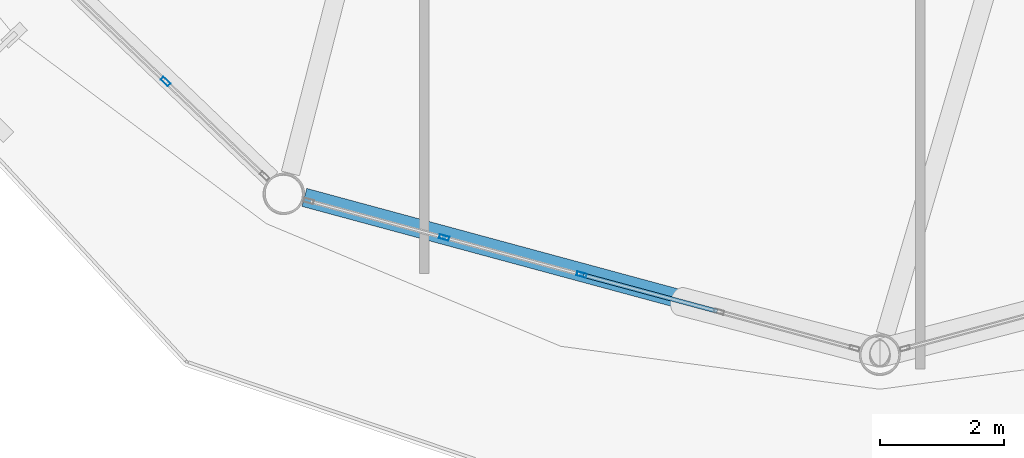
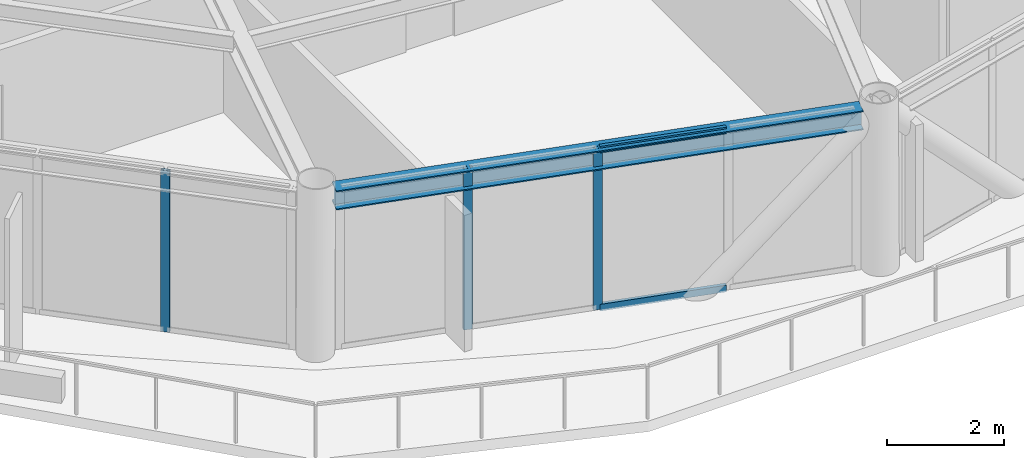
# One storey, part 3 of 28: 5 members, 1 beam, 2 elements without a shape of their own.
"""IFC4 building model written with IfcOpenShell, lengths in metres."""

import ifcopenshell
import ifcopenshell.guid

model = None  # the IFC model being written
_history = None  # IfcOwnerHistory: only IFC2X3 demands one
_inside = {}  # id of a spatial element -> (the spatial element, [elements in it])
_under = {}  # id of a project, library or spatial element -> (it, [spatial elements below it])
_declared = {}  # id of a project -> (the project, [libraries it declares])
_typed = {}  # id of a type object -> (the type object, [elements of that type])
_made_of = {}  # id of a material, layer set ... -> (it, [elements and type objects made of it])


def new_model(schema):
    """Start an empty IFC model of exactly this schema.

    Asked for "IFC4X3", IfcOpenShell would pick the latest addendum, in which some entities
    have other attributes; the version numbers below select the first issue.
    IFC2X3 requires an IfcOwnerHistory on every rooted entity: one is made here for all.
    """
    global model, _history
    if schema == "IFC4X3":
        model = ifcopenshell.file(schema_version=(4, 3, 0, 0))
    else:
        model = ifcopenshell.file(schema=schema)
    _inside.clear()
    _under.clear()
    _declared.clear()
    _typed.clear()
    _made_of.clear()
    _history = None
    if model.schema == "IFC2X3":
        org = make("IfcOrganization", Name="unknown")
        user = make(
            "IfcPersonAndOrganization",
            ThePerson=make("IfcPerson", FamilyName="unknown"),
            TheOrganization=org,
        )
        app = make(
            "IfcApplication",
            ApplicationDeveloper=org,
            Version="unknown",
            ApplicationFullName="unknown",
            ApplicationIdentifier="unknown",
        )
        _history = make(
            "IfcOwnerHistory",
            OwningUser=user,
            OwningApplication=app,
            ChangeAction="ADDED",
            CreationDate=0,
        )
    return model


def make(cls, **values):
    """One entity of the class cls with the attributes given. An attribute that is None is left unset."""
    return model.create_entity(
        cls, **{name: value for name, value in values.items() if value is not None}
    )


def rooted(cls, **values):
    """An entity with a GlobalId (a new one), such as an element, a storey or a relation."""
    return make(cls, GlobalId=ifcopenshell.guid.new(), OwnerHistory=_history, **values)


def si_unit(unit_type, name, prefix=None):
    """IfcSIUnit, for example si_unit("LENGTHUNIT", "METRE", prefix="MILLI")."""
    return make("IfcSIUnit", UnitType=unit_type, Prefix=prefix, Name=name)


def assignment(units):
    """IfcUnitAssignment: the units of a project."""
    return None if units is None else make("IfcUnitAssignment", Units=units)


def point(xyz):
    """IfcCartesianPoint."""
    return None if xyz is None else make("IfcCartesianPoint", Coordinates=xyz)


def direction(xyz):
    """IfcDirection."""
    return None if xyz is None else make("IfcDirection", DirectionRatios=xyz)


def frame(location, z_axis=None, x_axis=None):
    """IfcAxis2Placement3D, a coordinate frame: its origin and axes. An axis left out is left unset."""
    return make(
        "IfcAxis2Placement3D",
        Location=point(location),
        Axis=direction(z_axis),
        RefDirection=direction(x_axis),
    )


def frame_2d(location, x_axis=None):
    """IfcAxis2Placement2D, a coordinate frame in the plane: its origin and x axis."""
    return make(
        "IfcAxis2Placement2D", Location=point(location), RefDirection=direction(x_axis)
    )


def origin():
    """The frame at (0, 0, 0) with its axes left unset."""
    return frame((0.0, 0.0, 0.0))


def origin_2d():
    """The frame at (0, 0) in the plane with its x axis left unset."""
    return frame_2d((0.0, 0.0))


def place(relative_to, where):
    """IfcLocalPlacement: puts the frame where relative to a parent placement (None: the world)."""
    return make(
        "IfcLocalPlacement", PlacementRelTo=relative_to, RelativePlacement=where
    )


def context(
    kind, dimensions, precision=None, world=None, true_north=None, identifier=None
):
    """IfcGeometricRepresentationContext, for example the 3D "Model" context."""
    return make(
        "IfcGeometricRepresentationContext",
        ContextIdentifier=identifier,
        ContextType=kind,
        CoordinateSpaceDimension=dimensions,
        Precision=precision,
        WorldCoordinateSystem=world,
        TrueNorth=true_north,
    )


def subcontext(parent, identifier, kind, view, scale=None):
    """IfcGeometricRepresentationSubContext, for example "Body" below "Model"."""
    return make(
        "IfcGeometricRepresentationSubContext",
        ContextIdentifier=identifier,
        ContextType=kind,
        ParentContext=parent,
        TargetScale=scale,
        TargetView=view,
    )


def project(units=None, contexts=None):
    """IfcProject with its units and contexts."""
    return rooted(
        "IfcProject",
        Name="project",
        RepresentationContexts=contexts,
        UnitsInContext=assignment(units),
    )


def spatial(cls, under=None, at=None, **own):
    """A site, building, storey or space (cls), placed at a placement, below another one or the project."""
    s = rooted(cls, ObjectPlacement=at, **own)
    if under is not None:
        _under.setdefault(under.id(), (under, []))[1].append(s)
    return s


def profile(cls, at=None, kind="AREA", **sizes):
    """A parametric profile (cls). Its sizes go by their IFC names, for example OverallWidth=200.0."""
    return make(cls, ProfileType=kind, Position=at, **sizes)


def hollow_rectangle(**sizes):
    """IfcRectangleHollowProfileDef."""
    return profile("IfcRectangleHollowProfileDef", **sizes)


def i_section(**sizes):
    """IfcIShapeProfileDef."""
    return profile("IfcIShapeProfileDef", **sizes)


def extrude(swept, where, along, depth):
    """IfcExtrudedAreaSolid: the profile swept, set in the frame where, extruded along a direction by depth."""
    return make(
        "IfcExtrudedAreaSolid",
        SweptArea=swept,
        Position=where,
        ExtrudedDirection=direction(along),
        Depth=depth,
    )


def shape(context_of_items, identifier, shape_type, items):
    """IfcShapeRepresentation: the items that make up one representation, for example the "Body"."""
    return make(
        "IfcShapeRepresentation",
        ContextOfItems=context_of_items,
        RepresentationIdentifier=identifier,
        RepresentationType=shape_type,
        Items=items,
    )


def material(Name=None, Category=None):
    """IfcMaterial."""
    return make("IfcMaterial", Name=Name, Category=Category)


def layer(
    of_material, thickness, ventilated=None, Name=None, Category=None, Priority=None
):
    """IfcMaterialLayer: one layer of a wall or slab, of a material (None: an air gap)."""
    return make(
        "IfcMaterialLayer",
        Material=of_material,
        LayerThickness=thickness,
        IsVentilated=ventilated,
        Name=Name,
        Category=Category,
        Priority=Priority,
    )


def layer_set(layers, Name=None):
    """IfcMaterialLayerSet."""
    return make("IfcMaterialLayerSet", MaterialLayers=layers, LayerSetName=Name)


def material_profile(
    of_material, cross_section, Name=None, Category=None, Priority=None
):
    """IfcMaterialProfile: a cross section and its material."""
    return make(
        "IfcMaterialProfile",
        Name=Name,
        Material=of_material,
        Profile=cross_section,
        Priority=Priority,
        Category=Category,
    )


def profile_set(profiles, Name=None, composite=None):
    """IfcMaterialProfileSet."""
    return make(
        "IfcMaterialProfileSet",
        Name=Name,
        MaterialProfiles=profiles,
        CompositeProfile=composite,
    )


def made_of(thing, what):
    """Note that an element or type object is made of a material, layer set ...; save() writes the relation."""
    if what is not None:
        _made_of.setdefault(what.id(), (what, []))[1].append(thing)
    return thing


def type_object(cls, material=None, **own):
    """A type object (cls), such as IfcWallType, which elements share."""
    return made_of(rooted(cls, **own), material)


def element(
    cls,
    number,
    at=None,
    inside=None,
    cuts=None,
    type_object=None,
    material=None,
    context=None,
    identifier="Body",
    shape_type=None,
    held_by="IfcProductDefinitionShape",
    body=None,
    shapes=None,
    **own,
):
    """One element of the class cls, such as IfcWall. Its Tag is "e" and its number.

    at: its placement. inside: the storey or other place that contains it. cuts: it is an
    opening in that element (IfcRelVoidsElement). A single representation is given by context,
    identifier, shape_type and body (its items); several are given by shapes. held_by: the class
    of the entity that holds the representations. save() writes the other relations.
    """
    e = rooted(cls, Tag="e%d" % number, ObjectPlacement=at, **own)
    if body is not None:
        shapes = [shape(context, identifier, shape_type, body)]
    if shapes is not None:
        e.Representation = make(held_by, Representations=shapes)
    if inside is not None:
        _inside.setdefault(inside.id(), (inside, []))[1].append(e)
    if cuts is not None:
        rooted(
            "IfcRelVoidsElement", RelatingBuildingElement=cuts, RelatedOpeningElement=e
        )
    if type_object is not None:
        _typed.setdefault(type_object.id(), (type_object, []))[1].append(e)
    return made_of(e, material)


def aggregate(whole, parts):
    """IfcRelAggregates: a whole, such as a stair, and the parts it consists of."""
    return rooted("IfcRelAggregates", RelatingObject=whole, RelatedObjects=parts)


def save(model, path):
    """Write the relations noted so far, then the file.

    IfcRelAggregates (storeys below a building ...), IfcRelContainedInSpatialStructure (elements
    in a storey), IfcRelDefinesByType, IfcRelAssociatesMaterial and IfcRelDeclares: one each for
    every whole, place, type object, material and project.
    """
    for whole, parts in _under.values():
        aggregate(whole, parts)
    for where, things in _inside.values():
        rooted(
            "IfcRelContainedInSpatialStructure",
            RelatedElements=things,
            RelatingStructure=where,
        )
    for kind, things in _typed.values():
        rooted("IfcRelDefinesByType", RelatedObjects=things, RelatingType=kind)
    for what, things in _made_of.values():
        rooted("IfcRelAssociatesMaterial", RelatedObjects=things, RelatingMaterial=what)
    for by, libraries in _declared.values():
        rooted("IfcRelDeclares", RelatingContext=by, RelatedDefinitions=libraries)
    model.write(path)


model = new_model("IFC4")

# Units and contexts
model_context = context("Model", 3, precision=1e-05, world=origin(), true_north=direction((0.0, 1.0)))
body_context = subcontext(model_context, "Body", "Model", "MODEL_VIEW")
ifc_project = project(units=[si_unit("LENGTHUNIT", "METRE"), si_unit("AREAUNIT", "SQUARE_METRE"), si_unit("VOLUMEUNIT", "CUBIC_METRE"), si_unit("PLANEANGLEUNIT", "RADIAN"), si_unit("MASSUNIT", "GRAM", prefix="KILO")], contexts=[model_context])

# Site, building, storey
site_placement = place(None, origin())
site = spatial("IfcSite", under=ifc_project, at=site_placement, CompositionType="ELEMENT")
building_placement = place(site_placement, origin())
building = spatial("IfcBuilding", under=site, at=building_placement, Name="Varnakorn Sky Granary", CompositionType="ELEMENT")
storey_placement = place(building_placement, frame((0.0, 0.0, 200.39990234375)))
storey = spatial("IfcBuildingStorey", under=building, at=storey_placement, Name="L50", CompositionType="ELEMENT", Elevation=200.39990234375)

# Beam
ifc_material_1 = material(Name="Steel S355JR", Category="steel")
ifc_material_profile_1 = material_profile(ifc_material_1, i_section(OverallWidth=0.300048828125, OverallDepth=0.39990234375, WebThickness=0.013427734375, FlangeThickness=0.02392578125, at=origin_2d()), Name="HE 400 B")
ifc_profile_set_1 = profile_set([ifc_material_profile_1], Name="Steel S355JR")
beam_type = type_object("IfcBeamType", Name="BM-SPD-Z4", PredefinedType="SPANDREL", material=ifc_profile_set_1)
beam_placement = place(storey_placement, frame((-4.432373046875, -15.968505859375, 3.16015625), z_axis=(0.965318349203, -0.261075630215, 0.0), x_axis=(0.261075630215, 0.965318349203, 0.0)))
element("IfcBeam", 1, at=beam_placement, inside=storey, type_object=beam_type, Name="Perimeter Spandrel Ring Beam RB09 L50", PredefinedType="SPANDREL", context=body_context, shape_type="SweptSolid", body=[
    extrude(i_section(OverallWidth=0.300048828125, OverallDepth=0.39990234375, WebThickness=0.013427734375, FlangeThickness=0.02392578125, at=origin_2d()), origin(), (0.0, 0.0, 1.0), 9.30078125),
])

# Curtain wall, member
ifc_material_2 = material(Name="Anodised Bronze Aluminium Alloy 6063-T6", Category="aluminium")
ifc_layer = layer(ifc_material_2, 0.169921875, Name="Anodised Bronze Aluminium Alloy 6063-T6")
ifc_layer_set = layer_set([ifc_layer], Name="Anodised Bronze Aluminium Alloy 6063-T6")
curtain_wall_type = type_object("IfcCurtainWallType", Name="CW-LAB-1", PredefinedType="USERDEFINED", material=ifc_layer_set)
curtain_wall_1_placement = place(storey_placement, origin())
curtain_wall_1 = element("IfcCurtainWall", 2, at=curtain_wall_1_placement, inside=storey, type_object=curtain_wall_type, Name="Unitised Curtain Wall CW5 CW-L50-B08", ObjectType="CURTAIN WALL", PredefinedType="USERDEFINED")
ifc_material_profile_2 = material_profile(ifc_material_2, hollow_rectangle(XDim=0.06494140625, YDim=0.159912109375, WallThickness=0.00341796875, at=origin_2d()), Name="ALU MULL 65x160")
ifc_profile_set_2 = profile_set([ifc_material_profile_2], Name="Anodised Bronze Aluminium Alloy 6063-T6")
member_type_1 = type_object("IfcMemberType", Name="CW-LAB-1-MULL", PredefinedType="MULLION", material=ifc_profile_set_2)
member_1_placement = place(storey_placement, frame((-6.672119140625, -14.099365234375, 0.0), z_axis=(0.0, 0.0, 1.0), x_axis=(-0.690696852284, -0.723144424195, 0.0)))
member_1 = element("IfcMember", 3, at=member_1_placement, type_object=member_type_1, Name="CW5 mullion 2", PredefinedType="MULLION", context=body_context, shape_type="SweptSolid", body=[
    extrude(hollow_rectangle(XDim=0.06494140625, YDim=0.159912109375, WallThickness=0.00341796875, at=origin_2d()), origin(), (0.0, 0.0, 1.0), 3.360107421875),
])
aggregate(curtain_wall_1, [member_1])

# Curtain wall, members
curtain_wall_2_placement = place(storey_placement, origin())
curtain_wall_2 = element("IfcCurtainWall", 4, at=curtain_wall_2_placement, inside=storey, type_object=curtain_wall_type, Name="Unitised Curtain Wall CW5 CW-L50-B09", ObjectType="CURTAIN WALL", PredefinedType="USERDEFINED")
member_2_placement = place(storey_placement, frame((0.039794921875, -17.21435546875, 0.0), z_axis=(0.0, 0.0, 1.0), x_axis=(-0.260643020154, -0.965435246946, 0.0)))
member_2 = element("IfcMember", 5, at=member_2_placement, type_object=member_type_1, Name="CW5 mullion 3", PredefinedType="MULLION", context=body_context, shape_type="SweptSolid", body=[
    extrude(hollow_rectangle(XDim=0.06494140625, YDim=0.159912109375, WallThickness=0.00341796875, at=origin_2d()), origin(), (0.0, 0.0, 1.0), 3.360107421875),
])
member_3_placement = place(storey_placement, frame((-2.17724609375, -16.615966796875, 0.0), z_axis=(0.0, 0.0, 1.0), x_axis=(-0.260643020154, -0.965435246946, 0.0)))
member_3 = element("IfcMember", 6, at=member_3_placement, type_object=member_type_1, Name="CW5 mullion 4", PredefinedType="MULLION", context=body_context, shape_type="SweptSolid", body=[
    extrude(hollow_rectangle(XDim=0.06494140625, YDim=0.159912109375, WallThickness=0.00341796875, at=origin_2d()), origin(), (0.0, 0.0, 1.0), 3.360107421875),
])
ifc_material_profile_3 = material_profile(ifc_material_2, hollow_rectangle(XDim=0.070068359375, YDim=0.139892578125, WallThickness=0.00341796875, at=origin_2d()), Name="ALU TRAN 70x140")
ifc_profile_set_3 = profile_set([ifc_material_profile_3], Name="Anodised Bronze Aluminium Alloy 6063-T6")
member_type_2 = type_object("IfcMemberType", Name="CW-LAB-1-TRAN", PredefinedType="USERDEFINED", material=ifc_profile_set_3)
member_4_placement = place(storey_placement, frame((2.225341796875, -17.804443359375, 0.03515625), z_axis=(-0.965442297517, 0.260616903069, 0.0), x_axis=(-0.260616903069, -0.965442297517, 0.0)))
member_4 = element("IfcMember", 7, at=member_4_placement, type_object=member_type_2, Name="CW5 transom 2.1", ObjectType="TRANSOM", PredefinedType="USERDEFINED", context=body_context, shape_type="SweptSolid", body=[
    extrude(hollow_rectangle(XDim=0.070068359375, YDim=0.139892578125, WallThickness=0.00341796875, at=origin_2d()), origin(), (0.0, 0.0, 1.0), 2.2314453125),
])
member_5_placement = place(storey_placement, frame((2.225341796875, -17.804443359375, 3.3251953125), z_axis=(-0.965442297517, 0.260616903069, 0.0), x_axis=(-0.260616903069, -0.965442297517, 0.0)))
member_5 = element("IfcMember", 8, at=member_5_placement, type_object=member_type_2, Name="CW5 transom 2.2", ObjectType="TRANSOM", PredefinedType="USERDEFINED", context=body_context, shape_type="SweptSolid", body=[
    extrude(hollow_rectangle(XDim=0.070068359375, YDim=0.139892578125, WallThickness=0.00341796875, at=origin_2d()), origin(), (0.0, 0.0, 1.0), 2.2314453125),
])
aggregate(curtain_wall_2, [member_2, member_3, member_4, member_5])

save(model, "model.ifc")
